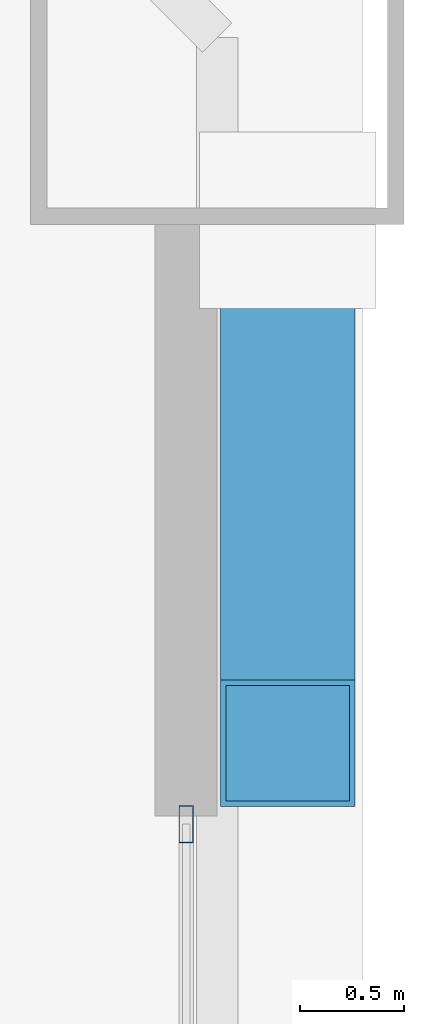
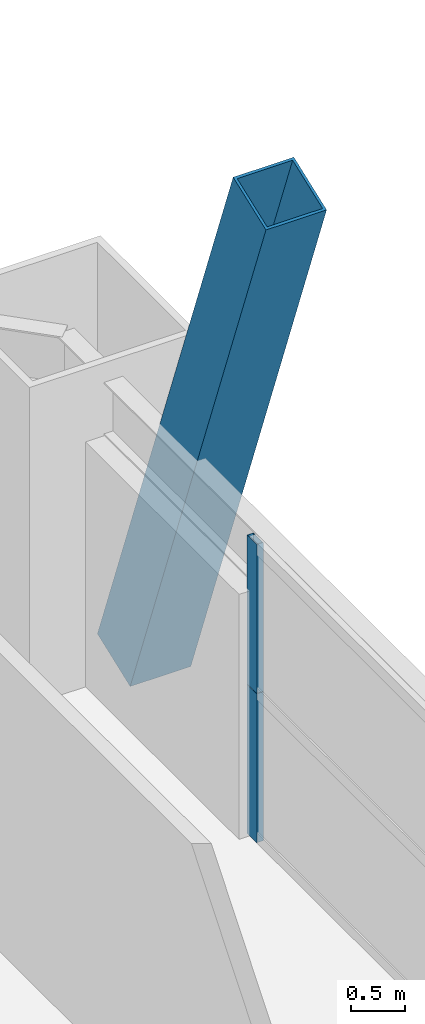
# One storey, part 34 of 43: 3 members, 1 element without a shape of its own.
"""IFC4 building model written with IfcOpenShell, lengths in metres."""

from ifc_helpers import new_model, si_unit, direction, frame, origin, origin_2d, place, context, subcontext, project, spatial, hollow_rectangle, extrude, source, transform, mapped, material, layer, layer_set, material_profile, profile_set, type_object, element, aggregate, save


model = new_model("IFC4")

# Units and contexts
model_context = context("Model", 3, precision=1e-05, world=origin(), true_north=direction((0.0, 1.0)))
body_context = subcontext(model_context, "Body", "Model", "MODEL_VIEW")
ifc_project = project(units=[si_unit("LENGTHUNIT", "METRE"), si_unit("AREAUNIT", "SQUARE_METRE"), si_unit("VOLUMEUNIT", "CUBIC_METRE"), si_unit("PLANEANGLEUNIT", "RADIAN"), si_unit("MASSUNIT", "GRAM", prefix="KILO"), si_unit("THERMODYNAMICTEMPERATUREUNIT", "KELVIN"), si_unit("POWERUNIT", "WATT")], contexts=[model_context])

# Site, building, storey
site_placement = place(None, origin())
site = spatial("IfcSite", under=ifc_project, at=site_placement, CompositionType="ELEMENT")
building_placement = place(site_placement, origin())
building = spatial("IfcBuilding", under=site, at=building_placement, Name="Yuzanri Waterfront Tower", CompositionType="ELEMENT")
storey_placement = place(building_placement, frame((0.0, 0.0, 67.60009765625)))
storey = spatial("IfcBuildingStorey", under=building, at=storey_placement, Name="L17", CompositionType="ELEMENT", Elevation=67.60009765625)

# Member
ifc_material_1 = material(Name="Steel Q420GJC", Category="steel")
ifc_material_profile_1 = material_profile(ifc_material_1, hollow_rectangle(XDim=0.64990234375, YDim=0.64990234375, WallThickness=0.028076171875, at=origin_2d()), Name="RHS 650x650x28")
ifc_profile_set_1 = profile_set([ifc_material_profile_1], Name="Steel Q420GJC")
member_type_1 = type_object("IfcMemberType", Name="Mega Brace Lower Q420GJC RHS 650x650x28", PredefinedType="BRACE", material=ifc_profile_set_1)
shared_shape_1 = source(origin(), body_context, "Body", "SweptSolid", [
    extrude(hollow_rectangle(XDim=0.64990234375, YDim=0.64990234375, WallThickness=0.028076171875, at=origin_2d()), origin(), (0.0, 0.0, 1.0), 7.158203125),
])
member_1_placement = place(storey_placement, frame((62.43994140625, 46.419921875, 0.179931640625), z_axis=(0.0, -0.352046480343, 0.935982518896), x_axis=(1.0, 0.0, 0.0)))
element("IfcMember", 1, at=member_1_placement, inside=storey, type_object=member_type_1, Name="L17-L18 Perimeter Mega-Brace E-R", PredefinedType="BRACE", context=body_context, shape_type="MappedRepresentation", body=[
    mapped(shared_shape_1, transform((0.0, 0.0, 0.0), scale=1.0)),
])

# Curtain wall, members
ifc_material_2 = material(Name="Anodized Architectural Bronze", Category="metal")
ifc_layer = layer(ifc_material_2, 0.159912109375)
ifc_layer_set = layer_set([ifc_layer], Name="Anodized Architectural Bronze")
curtain_wall_type = type_object("IfcCurtainWallType", Name="Anodized Bronze Hotel Lower-Tier Recessed Unitized Curtain Wall 8100", PredefinedType="NOTDEFINED", material=ifc_layer_set)
curtain_wall_placement = place(storey_placement, origin())
curtain_wall = element("IfcCurtainWall", 2, at=curtain_wall_placement, inside=storey, type_object=curtain_wall_type, Name="L17 Curtain Wall CW-L17-ER", PredefinedType="NOTDEFINED")
ifc_material_3 = material(Name="Anodized Architectural Bronze", Category="metal")
ifc_material_profile_2 = material_profile(ifc_material_3, hollow_rectangle(XDim=0.070068359375, YDim=0.179931640625, WallThickness=0.00390625, at=origin_2d()), Name="CWM 70x180")
ifc_profile_set_2 = profile_set([ifc_material_profile_2], Name="Anodized Architectural Bronze")
member_type_2 = type_object("IfcMemberType", Name="Anodized Bronze Standard Curtain-Wall Mullion 70x180", PredefinedType="MULLION", material=ifc_profile_set_2)
shared_shape_2 = source(origin(), body_context, "Body", "SweptSolid", [
    extrude(hollow_rectangle(XDim=0.070068359375, YDim=0.179931640625, WallThickness=0.00390625, at=origin_2d()), origin(), (0.0, 0.0, 1.0), 1.68798828125),
])
member_2_placement = place(storey_placement, frame((61.949951171875, 43.510009765625, 0.0), z_axis=(0.0, 0.0, 1.0), x_axis=(1.0, 0.0, 0.0)))
member_2 = element("IfcMember", 3, at=member_2_placement, type_object=member_type_2, Name="CW-L17-ER Lower Mullion 02", PredefinedType="MULLION", context=body_context, shape_type="MappedRepresentation", body=[
    mapped(shared_shape_2, transform((0.0, 0.0, 0.0), scale=1.0)),
])
member_3_placement = place(storey_placement, frame((61.949951171875, 43.510009765625, 1.69189453125), z_axis=(0.0, 0.0, 1.0), x_axis=(1.0, 0.0, 0.0)))
member_3 = element("IfcMember", 4, at=member_3_placement, type_object=member_type_2, Name="CW-L17-ER Upper Mullion 02", PredefinedType="MULLION", context=body_context, shape_type="MappedRepresentation", body=[
    mapped(shared_shape_2, transform((0.0, 0.0, 0.0), scale=1.0)),
])
aggregate(curtain_wall, [member_2, member_3])

save(model, "model.ifc")
